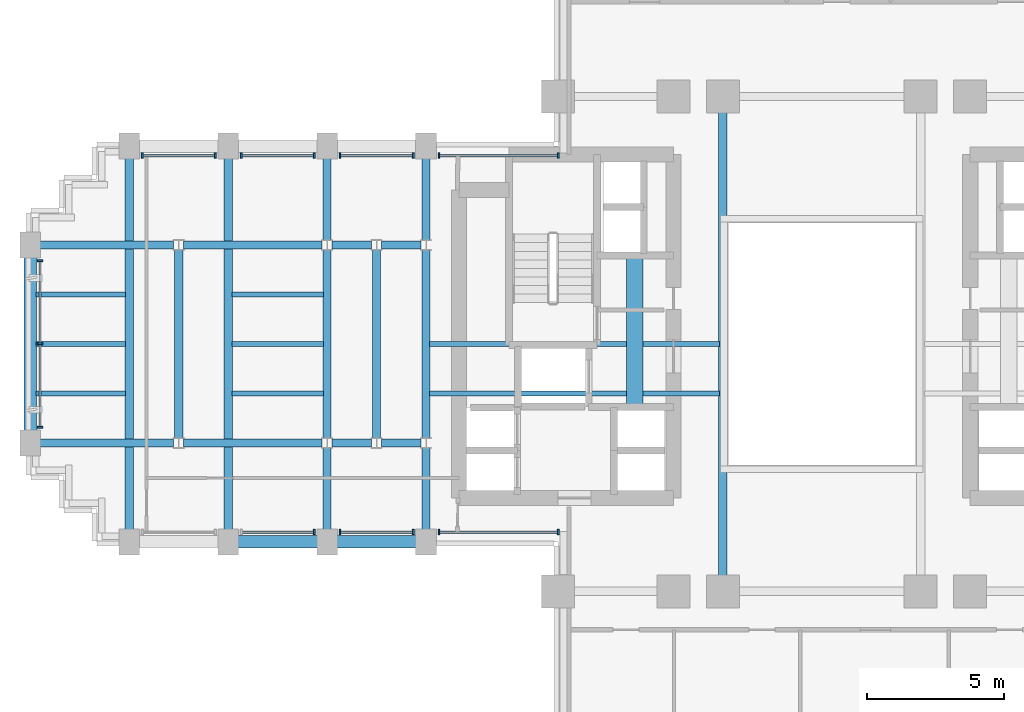
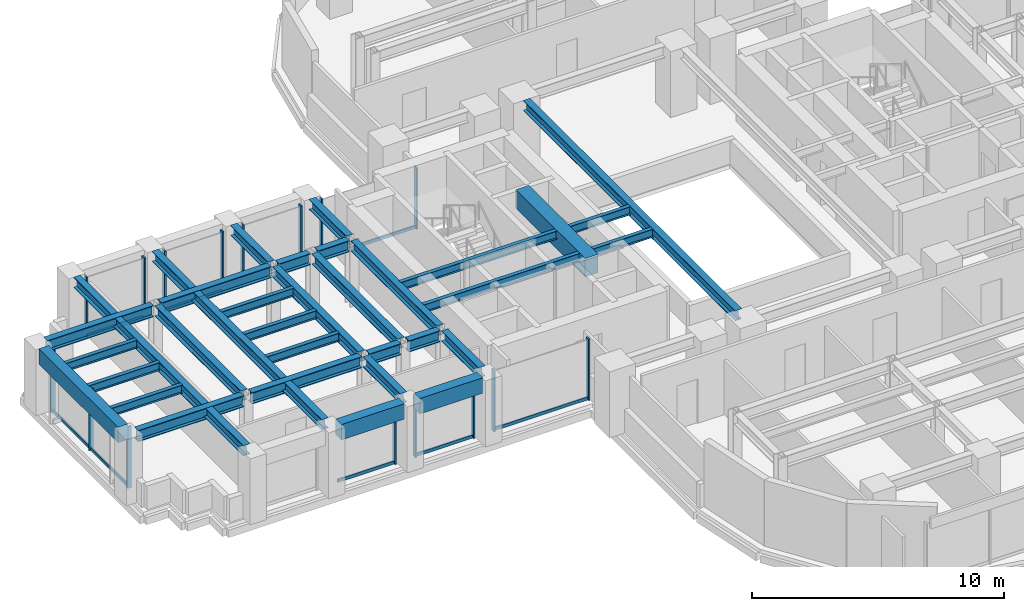
# One storey, part 4 of 16: 31 beams, 25 members, 8 elements without a shape of their own.
"""IFC4 building model written with IfcOpenShell, lengths in metres."""

from ifc_helpers import new_model, si_unit, direction, frame, origin, origin_2d, place, context, subcontext, project, spatial, rectangle, i_section, extrude, source, transform, mapped, material, material_profile, profile_set, type_object, element, aggregate, save


model = new_model("IFC4")

# Units and contexts
model_context = context("Model", 3, precision=1e-05, world=origin(), true_north=direction((0.0, 1.0)))
body_context = subcontext(model_context, "Body", "Model", "MODEL_VIEW")
ifc_project = project(units=[si_unit("LENGTHUNIT", "METRE"), si_unit("AREAUNIT", "SQUARE_METRE"), si_unit("VOLUMEUNIT", "CUBIC_METRE"), si_unit("PLANEANGLEUNIT", "RADIAN"), si_unit("MASSUNIT", "GRAM", prefix="KILO")], contexts=[model_context])

# Site, building, storey
site_placement = place(None, origin())
site = spatial("IfcSite", under=ifc_project, at=site_placement, CompositionType="ELEMENT")
building_placement = place(site_placement, origin())
building = spatial("IfcBuilding", under=site, at=building_placement, Name="Keilestroom Media Tower", CompositionType="ELEMENT")
storey_placement = place(building_placement, frame((0.0, 0.0, 78.199951171875)))
storey = spatial("IfcBuildingStorey", under=building, at=storey_placement, Name="L20", CompositionType="ELEMENT", Elevation=78.199951171875)

# Beams
ifc_material_1 = material(Name="Concrete C70/85", Category="concrete")
ifc_material_profile_1 = material_profile(ifc_material_1, rectangle(XDim=0.60009765625, YDim=0.89990234375, at=origin_2d()), Name="RC 600x900")
ifc_profile_set_1 = profile_set([ifc_material_profile_1], Name="Concrete C70/85")
beam_type_1 = type_object("IfcBeamType", Name="Core-Coupling-Lintel-Beam-RC-600x900", PredefinedType="LINTEL", material=ifc_profile_set_1)
shared_shape_1 = source(origin(), body_context, "Body", "SweptSolid", [
    extrude(rectangle(XDim=0.60009765625, YDim=0.89990234375, at=origin_2d()), origin(), (0.0, 0.0, 1.0), 5.52001953125),
])
beam_1_placement = place(storey_placement, frame((-6.800048828125, -2.300048828125, 2.75), z_axis=(0.0, 1.0, 0.0), x_axis=(-1.0, 0.0, 0.0)))
element("IfcBeam", 1, at=beam_1_placement, inside=storey, type_object=beam_type_1, Name="L20 Beam CLB-1 CLB-L20-W", PredefinedType="LINTEL", context=body_context, shape_type="MappedRepresentation", body=[
    mapped(shared_shape_1, transform((0.0, 0.0, 0.0), x_axis=(1.0, 0.0, 0.0), y_axis=(0.0, 1.0, 0.0), z_axis=(0.0, 0.0, 1.0), scale=1.0)),
])
ifc_material_2 = material(Name="Precast concrete C40/50", Category="concrete")
ifc_material_profile_2 = material_profile(ifc_material_2, rectangle(XDim=0.449951171875, YDim=0.75, at=origin_2d()), Name="PC 450x750")
ifc_profile_set_2 = profile_set([ifc_material_profile_2], Name="Precast concrete C40/50")
beam_type_2 = type_object("IfcBeamType", Name="Perimeter-Spandrel-Beam-PC-450x750", PredefinedType="SPANDREL", material=ifc_profile_set_2)
shared_shape_2 = source(origin(), body_context, "Body", "SweptSolid", [
    extrude(rectangle(XDim=0.449951171875, YDim=0.75, at=origin_2d()), origin(), (0.0, 0.0, 1.0), 6.2900390625),
])
beam_2_placement = place(storey_placement, frame((-28.800048828125, -3.14501953125, 2.824951171875), z_axis=(0.0, 1.0, 0.0), x_axis=(-1.0, 0.0, 0.0)))
element("IfcBeam", 2, at=beam_2_placement, inside=storey, type_object=beam_type_2, Name="L20 Beam SPB-1 BM-L20-NS-051", PredefinedType="SPANDREL", context=body_context, shape_type="MappedRepresentation", body=[
    mapped(shared_shape_2, transform((0.0, 0.0, 0.0), x_axis=(1.0, 0.0, 0.0), y_axis=(0.0, 1.0, 0.0), z_axis=(0.0, 0.0, 1.0), scale=1.0)),
])
shared_shape_3 = source(origin(), body_context, "Body", "SweptSolid", [
    extrude(rectangle(XDim=0.449951171875, YDim=0.75, at=origin_2d()), origin(), (0.0, 0.0, 1.0), 2.89013671875),
])
for number, where, z_axis, x_axis, name in (
    (3, (-21.2451171875, -7.199951171875, 2.824951171875), (1.0, 0.0, 0.0), (0.0, 1.0, 0.0), "L20 Beam SPB-1 BM-L20-EW-013"),
    (4, (-17.64501953125, -7.199951171875, 2.824951171875), (1.0, 0.0, 0.0), (0.0, 1.0, 0.0), "L20 Beam SPB-1 BM-L20-EW-014"),
):
    element("IfcBeam", number, at=place(storey_placement, frame(where, z_axis=z_axis, x_axis=x_axis)), inside=storey, type_object=beam_type_2, Name=name, PredefinedType="SPANDREL", context=body_context, shape_type="MappedRepresentation", body=[
        mapped(shared_shape_3, transform((0.0, 0.0, 0.0), x_axis=(1.0, 0.0, 0.0), y_axis=(0.0, 1.0, 0.0), z_axis=(0.0, 0.0, 1.0), scale=1.0)),
    ])
ifc_material_3 = material(Name="Steel S355", Category="steel")
ifc_material_profile_3 = material_profile(ifc_material_3, i_section(OverallWidth=0.300048828125, OverallDepth=0.550048828125, WebThickness=0.012939453125, FlangeThickness=0.029052734375, at=origin_2d()), Name="HEB 550")
ifc_profile_set_3 = profile_set([ifc_material_profile_3], Name="Steel S355")
beam_type_3 = type_object("IfcBeamType", Name="Primary-Structural-Girder-HEB-550", PredefinedType="BEAM", material=ifc_profile_set_3)
shared_shape_4 = source(origin(), body_context, "Body", "SweptSolid", [
    extrude(i_section(OverallWidth=0.300048828125, OverallDepth=0.550048828125, WebThickness=0.012939453125, FlangeThickness=0.029052734375, at=origin_2d()), origin(), (0.0, 0.0, 1.0), 4.863037109375),
])
for number, where, z_axis, x_axis, name in (
    (5, (-28.445068359375, -3.60009765625, 2.925048828125), (1.0, 0.0, 0.0), (0.0, 1.0, 0.0), "L20 Beam BG-5 BM-L20-EW-018"),
    (6, (-28.445068359375, 3.60009765625, 2.925048828125), (1.0, 0.0, 0.0), (0.0, 1.0, 0.0), "L20 Beam BG-5 BM-L20-EW-026"),
):
    element("IfcBeam", number, at=place(storey_placement, frame(where, z_axis=z_axis, x_axis=x_axis)), inside=storey, type_object=beam_type_3, Name=name, PredefinedType="BEAM", context=body_context, shape_type="MappedRepresentation", body=[
        mapped(shared_shape_4, transform((0.0, 0.0, 0.0), x_axis=(1.0, 0.0, 0.0), y_axis=(0.0, 1.0, 0.0), z_axis=(0.0, 0.0, 1.0), scale=1.0)),
    ])
shared_shape_5 = source(origin(), body_context, "Body", "SweptSolid", [
    extrude(i_section(OverallWidth=0.300048828125, OverallDepth=0.550048828125, WebThickness=0.012939453125, FlangeThickness=0.029052734375, at=origin_2d()), origin(), (0.0, 0.0, 1.0), 5.0361328125),
])
for number, where, z_axis, x_axis, name in (
    (7, (-23.218017578125, -3.60009765625, 2.925048828125), (1.0, 0.0, 0.0), (0.0, 1.0, 0.0), "L20 Beam BG-5 BM-L20-EW-019"),
    (8, (-23.218017578125, 3.60009765625, 2.925048828125), (1.0, 0.0, 0.0), (0.0, 1.0, 0.0), "L20 Beam BG-5 BM-L20-EW-027"),
):
    element("IfcBeam", number, at=place(storey_placement, frame(where, z_axis=z_axis, x_axis=x_axis)), inside=storey, type_object=beam_type_3, Name=name, PredefinedType="BEAM", context=body_context, shape_type="MappedRepresentation", body=[
        mapped(shared_shape_5, transform((0.0, 0.0, 0.0), x_axis=(1.0, 0.0, 0.0), y_axis=(0.0, 1.0, 0.0), z_axis=(0.0, 0.0, 1.0), scale=1.0)),
    ])
shared_shape_6 = source(origin(), body_context, "Body", "SweptSolid", [
    extrude(i_section(OverallWidth=0.300048828125, OverallDepth=0.550048828125, WebThickness=0.012939453125, FlangeThickness=0.029052734375, at=origin_2d()), origin(), (0.0, 0.0, 1.0), 1.43603515625),
])
for number, where, z_axis, x_axis, name in (
    (9, (-17.818115234375, -3.60009765625, 2.925048828125), (1.0, 0.0, 0.0), (0.0, 1.0, 0.0), "L20 Beam BG-5 BM-L20-EW-020"),
    (10, (-16.01806640625, -3.60009765625, 2.925048828125), (1.0, 0.0, 0.0), (0.0, 1.0, 0.0), "L20 Beam BG-5 BM-L20-EW-021"),
    (11, (-17.818115234375, 3.60009765625, 2.925048828125), (1.0, 0.0, 0.0), (0.0, 1.0, 0.0), "L20 Beam BG-5 BM-L20-EW-028"),
    (12, (-16.01806640625, 3.60009765625, 2.925048828125), (1.0, 0.0, 0.0), (0.0, 1.0, 0.0), "L20 Beam BG-5 BM-L20-EW-029"),
):
    element("IfcBeam", number, at=place(storey_placement, frame(where, z_axis=z_axis, x_axis=x_axis)), inside=storey, type_object=beam_type_3, Name=name, PredefinedType="BEAM", context=body_context, shape_type="MappedRepresentation", body=[
        mapped(shared_shape_6, transform((0.0, 0.0, 0.0), x_axis=(1.0, 0.0, 0.0), y_axis=(0.0, 1.0, 0.0), z_axis=(0.0, 0.0, 1.0), scale=1.0)),
    ])
ifc_material_profile_4 = material_profile(ifc_material_3, i_section(OverallWidth=0.300048828125, OverallDepth=0.5, WebThickness=0.012451171875, FlangeThickness=0.028076171875, at=origin_2d()), Name="HEB 500")
ifc_profile_set_4 = profile_set([ifc_material_profile_4], Name="Steel S355")
beam_type_4 = type_object("IfcBeamType", Name="Primary-Structural-Girder-HEB-500", PredefinedType="BEAM", material=ifc_profile_set_4)
shared_shape_7 = source(origin(), body_context, "Body", "SweptSolid", [
    extrude(i_section(OverallWidth=0.300048828125, OverallDepth=0.5, WebThickness=0.012451171875, FlangeThickness=0.028076171875, at=origin_2d()), origin(), (0.0, 0.0, 1.0), 13.490234375),
])
for number, where, z_axis, x_axis, name in (
    (13, (-25.199951171875, -6.7451171875, 2.949951171875), (0.0, 1.0, 0.0), (-1.0, 0.0, 0.0), "L20 Beam BG-6 BM-L20-NS-052"),
    (14, (-21.60009765625, -6.7451171875, 2.949951171875), (0.0, 1.0, 0.0), (-1.0, 0.0, 0.0), "L20 Beam BG-6 BM-L20-NS-054"),
):
    element("IfcBeam", number, at=place(storey_placement, frame(where, z_axis=z_axis, x_axis=x_axis)), inside=storey, type_object=beam_type_4, Name=name, PredefinedType="BEAM", context=body_context, shape_type="MappedRepresentation", body=[
        mapped(shared_shape_7, transform((0.0, 0.0, 0.0), x_axis=(1.0, 0.0, 0.0), y_axis=(0.0, 1.0, 0.0), z_axis=(0.0, 0.0, 1.0), scale=1.0)),
    ])
shared_shape_8 = source(origin(), body_context, "Body", "SweptSolid", [
    extrude(i_section(OverallWidth=0.300048828125, OverallDepth=0.5, WebThickness=0.012451171875, FlangeThickness=0.028076171875, at=origin_2d()), origin(), (0.0, 0.0, 1.0), 6.8330078125),
])
for number, where, z_axis, x_axis, name in (
    (15, (-23.39990234375, -3.41650390625, 2.949951171875), (0.0, 1.0, 0.0), (-1.0, 0.0, 0.0), "L20 Beam BG-6 BM-L20-NS-053"),
    (16, (-18.0, -3.41650390625, 2.949951171875), (0.0, 1.0, 0.0), (-1.0, 0.0, 0.0), "L20 Beam BG-6 BM-L20-NS-056"),
    (17, (-16.199951171875, -3.41650390625, 2.949951171875), (0.0, 1.0, 0.0), (-1.0, 0.0, 0.0), "L20 Beam BG-6 BM-L20-NS-058"),
    (18, (-14.39990234375, -3.41650390625, 2.949951171875), (0.0, 1.0, 0.0), (-1.0, 0.0, 0.0), "L20 Beam BG-6 BM-L20-NS-060"),
):
    element("IfcBeam", number, at=place(storey_placement, frame(where, z_axis=z_axis, x_axis=x_axis)), inside=storey, type_object=beam_type_4, Name=name, PredefinedType="BEAM", context=body_context, shape_type="MappedRepresentation", body=[
        mapped(shared_shape_8, transform((0.0, 0.0, 0.0), x_axis=(1.0, 0.0, 0.0), y_axis=(0.0, 1.0, 0.0), z_axis=(0.0, 0.0, 1.0), scale=1.0)),
    ])
shared_shape_9 = source(origin(), body_context, "Body", "SweptSolid", [
    extrude(i_section(OverallWidth=0.300048828125, OverallDepth=0.5, WebThickness=0.012451171875, FlangeThickness=0.028076171875, at=origin_2d()), origin(), (0.0, 0.0, 1.0), 2.961669921875),
])
for number, where, z_axis, x_axis, name in (
    (19, (-18.0, -6.7451171875, 2.949951171875), (0.0, 1.0, 0.0), (-1.0, 0.0, 0.0), "L20 Beam BG-6 BM-L20-NS-055"),
    (20, (-18.0, 3.783447265625, 2.949951171875), (0.0, 1.0, 0.0), (-1.0, 0.0, 0.0), "L20 Beam BG-6 BM-L20-NS-057"),
    (21, (-14.39990234375, -6.7451171875, 2.949951171875), (0.0, 1.0, 0.0), (-1.0, 0.0, 0.0), "L20 Beam BG-6 BM-L20-NS-059"),
    (22, (-14.39990234375, 3.783447265625, 2.949951171875), (0.0, 1.0, 0.0), (-1.0, 0.0, 0.0), "L20 Beam BG-6 BM-L20-NS-061"),
):
    element("IfcBeam", number, at=place(storey_placement, frame(where, z_axis=z_axis, x_axis=x_axis)), inside=storey, type_object=beam_type_4, Name=name, PredefinedType="BEAM", context=body_context, shape_type="MappedRepresentation", body=[
        mapped(shared_shape_9, transform((0.0, 0.0, 0.0), x_axis=(1.0, 0.0, 0.0), y_axis=(0.0, 1.0, 0.0), z_axis=(0.0, 0.0, 1.0), scale=1.0)),
    ])
shared_shape_10 = source(origin(), body_context, "Body", "SweptSolid", [
    extrude(i_section(OverallWidth=0.300048828125, OverallDepth=0.5, WebThickness=0.012451171875, FlangeThickness=0.028076171875, at=origin_2d()), origin(), (0.0, 0.0, 1.0), 16.83984375),
])
beam_3_placement = place(storey_placement, frame((-3.60009765625, -8.419921875, 2.949951171875), z_axis=(0.0, 1.0, 0.0), x_axis=(-1.0, 0.0, 0.0)))
element("IfcBeam", 23, at=beam_3_placement, inside=storey, type_object=beam_type_4, Name="L20 Beam BG-6 BM-L20-NS-066", PredefinedType="BEAM", context=body_context, shape_type="MappedRepresentation", body=[
    mapped(shared_shape_10, transform((0.0, 0.0, 0.0), x_axis=(1.0, 0.0, 0.0), y_axis=(0.0, 1.0, 0.0), z_axis=(0.0, 0.0, 1.0), scale=1.0)),
])
ifc_material_profile_5 = material_profile(ifc_material_3, i_section(OverallWidth=0.179931640625, OverallDepth=0.39990234375, WebThickness=0.008544921875, FlangeThickness=0.013427734375, at=origin_2d()), Name="IPE 400")
ifc_profile_set_5 = profile_set([ifc_material_profile_5], Name="Steel S355")
beam_type_5 = type_object("IfcBeamType", Name="Secondary-Floor-Joist-IPE-400", PredefinedType="JOIST", material=ifc_profile_set_5)
shared_shape_11 = source(origin(), body_context, "Body", "SweptSolid", [
    extrude(i_section(OverallWidth=0.179931640625, OverallDepth=0.39990234375, WebThickness=0.008544921875, FlangeThickness=0.013427734375, at=origin_2d()), origin(), (0.0, 0.0, 1.0), 3.264892578125),
])
for number, where, z_axis, x_axis, name in (
    (24, (-28.594970703125, -1.800048828125, 3.0), (1.0, 0.0, 0.0), (0.0, 1.0, 0.0), "L20 Beam BJ-4 JST-L20-089"),
    (25, (-28.594970703125, 0.0, 3.0), (1.0, 0.0, 0.0), (0.0, 1.0, 0.0), "L20 Beam BJ-4 JST-L20-096"),
    (26, (-28.594970703125, 1.800048828125, 3.0), (1.0, 0.0, 0.0), (0.0, 1.0, 0.0), "L20 Beam BJ-4 JST-L20-103"),
):
    element("IfcBeam", number, at=place(storey_placement, frame(where, z_axis=z_axis, x_axis=x_axis)), inside=storey, type_object=beam_type_5, Name=name, PredefinedType="JOIST", context=body_context, shape_type="MappedRepresentation", body=[
        mapped(shared_shape_11, transform((0.0, 0.0, 0.0), x_axis=(1.0, 0.0, 0.0), y_axis=(0.0, 1.0, 0.0), z_axis=(0.0, 0.0, 1.0), scale=1.0)),
    ])
shared_shape_12 = source(origin(), body_context, "Body", "SweptSolid", [
    extrude(i_section(OverallWidth=0.179931640625, OverallDepth=0.39990234375, WebThickness=0.008544921875, FlangeThickness=0.013427734375, at=origin_2d()), origin(), (0.0, 0.0, 1.0), 3.340087890625),
])
for number, where, z_axis, x_axis, name in (
    (27, (-21.469970703125, -1.800048828125, 3.0), (1.0, 0.0, 0.0), (0.0, 1.0, 0.0), "L20 Beam BJ-4 JST-L20-090"),
    (28, (-21.469970703125, 0.0, 3.0), (1.0, 0.0, 0.0), (0.0, 1.0, 0.0), "L20 Beam BJ-4 JST-L20-097"),
    (29, (-21.469970703125, 1.800048828125, 3.0), (1.0, 0.0, 0.0), (0.0, 1.0, 0.0), "L20 Beam BJ-4 JST-L20-104"),
):
    element("IfcBeam", number, at=place(storey_placement, frame(where, z_axis=z_axis, x_axis=x_axis)), inside=storey, type_object=beam_type_5, Name=name, PredefinedType="JOIST", context=body_context, shape_type="MappedRepresentation", body=[
        mapped(shared_shape_12, transform((0.0, 0.0, 0.0), x_axis=(1.0, 0.0, 0.0), y_axis=(0.0, 1.0, 0.0), z_axis=(0.0, 0.0, 1.0), scale=1.0)),
    ])
shared_shape_13 = source(origin(), body_context, "Body", "SweptSolid", [
    extrude(i_section(OverallWidth=0.179931640625, OverallDepth=0.39990234375, WebThickness=0.008544921875, FlangeThickness=0.013427734375, at=origin_2d()), origin(), (0.0, 0.0, 1.0), 10.5400390625),
])
for number, where, z_axis, x_axis, name in (
    (30, (-14.27001953125, -1.800048828125, 3.0), (1.0, 0.0, 0.0), (0.0, 1.0, 0.0), "L20 Beam BJ-4 JST-L20-091"),
    (31, (-14.27001953125, 0.0, 3.0), (1.0, 0.0, 0.0), (0.0, 1.0, 0.0), "L20 Beam BJ-4 JST-L20-098"),
):
    element("IfcBeam", number, at=place(storey_placement, frame(where, z_axis=z_axis, x_axis=x_axis)), inside=storey, type_object=beam_type_5, Name=name, PredefinedType="JOIST", context=body_context, shape_type="MappedRepresentation", body=[
        mapped(shared_shape_13, transform((0.0, 0.0, 0.0), x_axis=(1.0, 0.0, 0.0), y_axis=(0.0, 1.0, 0.0), z_axis=(0.0, 0.0, 1.0), scale=1.0)),
    ])

# Curtain wall, members
ifc_material_4 = material(Name="Anodised Aluminium Alloy", Category="aluminium")
curtain_wall_type = type_object("IfcCurtainWallType", Name="Unitised-Curtain-Wall-CW-1", PredefinedType="NOTDEFINED", material=ifc_material_4)
curtain_wall_1_placement = place(storey_placement, origin())
curtain_wall_1 = element("IfcCurtainWall", 32, at=curtain_wall_1_placement, inside=storey, type_object=curtain_wall_type, Name="L20 Curtain Wall CW-1 CW-L20-W-1", PredefinedType="NOTDEFINED")
ifc_material_profile_6 = material_profile(ifc_material_4, rectangle(XDim=0.070068359375, YDim=0.199951171875, at=origin_2d()), Name="ALU MULLION 70x200")
ifc_profile_set_6 = profile_set([ifc_material_profile_6], Name="Anodised Aluminium Alloy")
member_type_1 = type_object("IfcMemberType", Name="Curtain-Wall-Mullion-CW-1", PredefinedType="MULLION", material=ifc_profile_set_6)
shared_shape_14 = source(origin(), body_context, "Body", "SweptSolid", [
    extrude(rectangle(XDim=0.070068359375, YDim=0.199951171875, at=origin_2d()), origin(), (0.0, 0.0, 1.0), 2.97998046875),
])
member_1_placement = place(storey_placement, frame((-28.449951171875, -3.030029296875, 0.0), z_axis=(0.0, 0.0, 1.0), x_axis=(0.0, 1.0, 0.0)))
member_1 = element("IfcMember", 33, at=member_1_placement, type_object=member_type_1, Name="CW-1 Mullion 00", PredefinedType="MULLION", context=body_context, shape_type="MappedRepresentation", body=[
    mapped(shared_shape_14, transform((0.0, 0.0, 0.0), x_axis=(1.0, 0.0, 0.0), y_axis=(0.0, 1.0, 0.0), z_axis=(0.0, 0.0, 1.0), scale=1.0)),
])
member_2_placement = place(storey_placement, frame((-28.449951171875, 0.0, 0.0), z_axis=(0.0, 0.0, 1.0), x_axis=(0.0, 1.0, 0.0)))
member_2 = element("IfcMember", 34, at=member_2_placement, type_object=member_type_1, Name="CW-1 Mullion 01", PredefinedType="MULLION", context=body_context, shape_type="MappedRepresentation", body=[
    mapped(shared_shape_14, transform((0.0, 0.0, 0.0), x_axis=(1.0, 0.0, 0.0), y_axis=(0.0, 1.0, 0.0), z_axis=(0.0, 0.0, 1.0), scale=1.0)),
])
member_3_placement = place(storey_placement, frame((-28.449951171875, 3.030029296875, 0.0), z_axis=(0.0, 0.0, 1.0), x_axis=(0.0, 1.0, 0.0)))
member_3 = element("IfcMember", 35, at=member_3_placement, type_object=member_type_1, Name="CW-1 Mullion 02", PredefinedType="MULLION", context=body_context, shape_type="MappedRepresentation", body=[
    mapped(shared_shape_14, transform((0.0, 0.0, 0.0), x_axis=(1.0, 0.0, 0.0), y_axis=(0.0, 1.0, 0.0), z_axis=(0.0, 0.0, 1.0), scale=1.0)),
])

curtain_wall_2_placement = place(storey_placement, origin())
curtain_wall_2 = element("IfcCurtainWall", 36, at=curtain_wall_2_placement, inside=storey, type_object=curtain_wall_type, Name="L20 Curtain Wall CW-1 CW-L20-NW-1", PredefinedType="NOTDEFINED")
member_4_placement = place(storey_placement, frame((-24.72998046875, 6.85009765625, 0.0), z_axis=(0.0, 0.0, 1.0), x_axis=(1.0, 0.0, 0.0)))
member_4 = element("IfcMember", 37, at=member_4_placement, type_object=member_type_1, Name="CW-1 Mullion 00", PredefinedType="MULLION", context=body_context, shape_type="MappedRepresentation", body=[
    mapped(shared_shape_14, transform((0.0, 0.0, 0.0), x_axis=(1.0, 0.0, 0.0), y_axis=(0.0, 1.0, 0.0), z_axis=(0.0, 0.0, 1.0), scale=1.0)),
])
member_5_placement = place(storey_placement, frame((-22.070068359375, 6.85009765625, 0.0), z_axis=(0.0, 0.0, 1.0), x_axis=(1.0, 0.0, 0.0)))
member_5 = element("IfcMember", 38, at=member_5_placement, type_object=member_type_1, Name="CW-1 Mullion 01", PredefinedType="MULLION", context=body_context, shape_type="MappedRepresentation", body=[
    mapped(shared_shape_14, transform((0.0, 0.0, 0.0), x_axis=(1.0, 0.0, 0.0), y_axis=(0.0, 1.0, 0.0), z_axis=(0.0, 0.0, 1.0), scale=1.0)),
])

curtain_wall_3_placement = place(storey_placement, origin())
curtain_wall_3 = element("IfcCurtainWall", 39, at=curtain_wall_3_placement, inside=storey, type_object=curtain_wall_type, Name="L20 Curtain Wall CW-1 CW-L20-NW-2", PredefinedType="NOTDEFINED")
member_6_placement = place(storey_placement, frame((-21.1298828125, 6.85009765625, 0.0), z_axis=(0.0, 0.0, 1.0), x_axis=(1.0, 0.0, 0.0)))
member_6 = element("IfcMember", 40, at=member_6_placement, type_object=member_type_1, Name="CW-1 Mullion 00", PredefinedType="MULLION", context=body_context, shape_type="MappedRepresentation", body=[
    mapped(shared_shape_14, transform((0.0, 0.0, 0.0), x_axis=(1.0, 0.0, 0.0), y_axis=(0.0, 1.0, 0.0), z_axis=(0.0, 0.0, 1.0), scale=1.0)),
])
member_7_placement = place(storey_placement, frame((-18.469970703125, 6.85009765625, 0.0), z_axis=(0.0, 0.0, 1.0), x_axis=(1.0, 0.0, 0.0)))
member_7 = element("IfcMember", 41, at=member_7_placement, type_object=member_type_1, Name="CW-1 Mullion 01", PredefinedType="MULLION", context=body_context, shape_type="MappedRepresentation", body=[
    mapped(shared_shape_14, transform((0.0, 0.0, 0.0), x_axis=(1.0, 0.0, 0.0), y_axis=(0.0, 1.0, 0.0), z_axis=(0.0, 0.0, 1.0), scale=1.0)),
])

curtain_wall_4_placement = place(storey_placement, origin())
curtain_wall_4 = element("IfcCurtainWall", 42, at=curtain_wall_4_placement, inside=storey, type_object=curtain_wall_type, Name="L20 Curtain Wall CW-1 CW-L20-NW-3", PredefinedType="NOTDEFINED")
member_8_placement = place(storey_placement, frame((-17.530029296875, 6.85009765625, 0.0), z_axis=(0.0, 0.0, 1.0), x_axis=(1.0, 0.0, 0.0)))
member_8 = element("IfcMember", 43, at=member_8_placement, type_object=member_type_1, Name="CW-1 Mullion 00", PredefinedType="MULLION", context=body_context, shape_type="MappedRepresentation", body=[
    mapped(shared_shape_14, transform((0.0, 0.0, 0.0), x_axis=(1.0, 0.0, 0.0), y_axis=(0.0, 1.0, 0.0), z_axis=(0.0, 0.0, 1.0), scale=1.0)),
])
member_9_placement = place(storey_placement, frame((-14.8701171875, 6.85009765625, 0.0), z_axis=(0.0, 0.0, 1.0), x_axis=(1.0, 0.0, 0.0)))
member_9 = element("IfcMember", 44, at=member_9_placement, type_object=member_type_1, Name="CW-1 Mullion 01", PredefinedType="MULLION", context=body_context, shape_type="MappedRepresentation", body=[
    mapped(shared_shape_14, transform((0.0, 0.0, 0.0), x_axis=(1.0, 0.0, 0.0), y_axis=(0.0, 1.0, 0.0), z_axis=(0.0, 0.0, 1.0), scale=1.0)),
])

curtain_wall_5_placement = place(storey_placement, origin())
curtain_wall_5 = element("IfcCurtainWall", 45, at=curtain_wall_5_placement, inside=storey, type_object=curtain_wall_type, Name="L20 Curtain Wall CW-1 CW-L20-NW-4", PredefinedType="NOTDEFINED")
member_10_placement = place(storey_placement, frame((-13.929931640625, 6.85009765625, 0.0), z_axis=(0.0, 0.0, 1.0), x_axis=(1.0, 0.0, 0.0)))
member_10 = element("IfcMember", 46, at=member_10_placement, type_object=member_type_1, Name="CW-1 Mullion 00", PredefinedType="MULLION", context=body_context, shape_type="MappedRepresentation", body=[
    mapped(shared_shape_14, transform((0.0, 0.0, 0.0), x_axis=(1.0, 0.0, 0.0), y_axis=(0.0, 1.0, 0.0), z_axis=(0.0, 0.0, 1.0), scale=1.0)),
])
member_11_placement = place(storey_placement, frame((-9.5849609375, 6.85009765625, 0.0), z_axis=(0.0, 0.0, 1.0), x_axis=(1.0, 0.0, 0.0)))
member_11 = element("IfcMember", 47, at=member_11_placement, type_object=member_type_1, Name="CW-1 Mullion 01", PredefinedType="MULLION", context=body_context, shape_type="MappedRepresentation", body=[
    mapped(shared_shape_14, transform((0.0, 0.0, 0.0), x_axis=(1.0, 0.0, 0.0), y_axis=(0.0, 1.0, 0.0), z_axis=(0.0, 0.0, 1.0), scale=1.0)),
])

# Curtain wall, member
curtain_wall_6_placement = place(storey_placement, origin())
curtain_wall_6 = element("IfcCurtainWall", 48, at=curtain_wall_6_placement, inside=storey, type_object=curtain_wall_type, Name="L20 Curtain Wall CW-1 CW-L20-SW-2", PredefinedType="NOTDEFINED")
member_12_placement = place(storey_placement, frame((-18.469970703125, -6.85009765625, 0.0), z_axis=(0.0, 0.0, 1.0), x_axis=(1.0, 0.0, 0.0)))
member_12 = element("IfcMember", 49, at=member_12_placement, type_object=member_type_1, Name="CW-1 Mullion 01", PredefinedType="MULLION", context=body_context, shape_type="MappedRepresentation", body=[
    mapped(shared_shape_14, transform((0.0, 0.0, 0.0), x_axis=(1.0, 0.0, 0.0), y_axis=(0.0, 1.0, 0.0), z_axis=(0.0, 0.0, 1.0), scale=1.0)),
])

# Curtain wall, members
curtain_wall_7_placement = place(storey_placement, origin())
curtain_wall_7 = element("IfcCurtainWall", 50, at=curtain_wall_7_placement, inside=storey, type_object=curtain_wall_type, Name="L20 Curtain Wall CW-1 CW-L20-SW-3", PredefinedType="NOTDEFINED")
member_13_placement = place(storey_placement, frame((-17.530029296875, -6.85009765625, 0.0), z_axis=(0.0, 0.0, 1.0), x_axis=(1.0, 0.0, 0.0)))
member_13 = element("IfcMember", 51, at=member_13_placement, type_object=member_type_1, Name="CW-1 Mullion 00", PredefinedType="MULLION", context=body_context, shape_type="MappedRepresentation", body=[
    mapped(shared_shape_14, transform((0.0, 0.0, 0.0), x_axis=(1.0, 0.0, 0.0), y_axis=(0.0, 1.0, 0.0), z_axis=(0.0, 0.0, 1.0), scale=1.0)),
])
member_14_placement = place(storey_placement, frame((-14.8701171875, -6.85009765625, 0.0), z_axis=(0.0, 0.0, 1.0), x_axis=(1.0, 0.0, 0.0)))
member_14 = element("IfcMember", 52, at=member_14_placement, type_object=member_type_1, Name="CW-1 Mullion 01", PredefinedType="MULLION", context=body_context, shape_type="MappedRepresentation", body=[
    mapped(shared_shape_14, transform((0.0, 0.0, 0.0), x_axis=(1.0, 0.0, 0.0), y_axis=(0.0, 1.0, 0.0), z_axis=(0.0, 0.0, 1.0), scale=1.0)),
])

curtain_wall_8_placement = place(storey_placement, origin())
curtain_wall_8 = element("IfcCurtainWall", 53, at=curtain_wall_8_placement, inside=storey, type_object=curtain_wall_type, Name="L20 Curtain Wall CW-1 CW-L20-SW-4", PredefinedType="NOTDEFINED")
member_15_placement = place(storey_placement, frame((-13.929931640625, -6.85009765625, 0.0), z_axis=(0.0, 0.0, 1.0), x_axis=(1.0, 0.0, 0.0)))
member_15 = element("IfcMember", 54, at=member_15_placement, type_object=member_type_1, Name="CW-1 Mullion 00", PredefinedType="MULLION", context=body_context, shape_type="MappedRepresentation", body=[
    mapped(shared_shape_14, transform((0.0, 0.0, 0.0), x_axis=(1.0, 0.0, 0.0), y_axis=(0.0, 1.0, 0.0), z_axis=(0.0, 0.0, 1.0), scale=1.0)),
])
member_16_placement = place(storey_placement, frame((-9.5849609375, -6.85009765625, 0.0), z_axis=(0.0, 0.0, 1.0), x_axis=(1.0, 0.0, 0.0)))
member_16 = element("IfcMember", 55, at=member_16_placement, type_object=member_type_1, Name="CW-1 Mullion 01", PredefinedType="MULLION", context=body_context, shape_type="MappedRepresentation", body=[
    mapped(shared_shape_14, transform((0.0, 0.0, 0.0), x_axis=(1.0, 0.0, 0.0), y_axis=(0.0, 1.0, 0.0), z_axis=(0.0, 0.0, 1.0), scale=1.0)),
])

# Member
ifc_material_profile_7 = material_profile(ifc_material_4, rectangle(XDim=0.06494140625, YDim=0.14990234375, at=origin_2d()), Name="ALU TRANSOM 65x150")
ifc_profile_set_7 = profile_set([ifc_material_profile_7], Name="Anodised Aluminium Alloy")
member_type_2 = type_object("IfcMemberType", Name="Curtain-Wall-Transom-CW-1", PredefinedType="USERDEFINED", material=ifc_profile_set_7)
shared_shape_15 = source(origin(), body_context, "Body", "SweptSolid", [
    extrude(rectangle(XDim=0.06494140625, YDim=0.14990234375, at=origin_2d()), origin(), (0.0, 0.0, 1.0), 2.964111328125),
])
member_17_placement = place(storey_placement, frame((-28.449951171875, -2.9970703125, 0.074951171875), z_axis=(0.0, 1.0, 0.0), x_axis=(-1.0, 0.0, 0.0)))
member_17 = element("IfcMember", 56, at=member_17_placement, type_object=member_type_2, Name="CW-1 Transom 00.1", ObjectType="TRANSOM", PredefinedType="USERDEFINED", context=body_context, shape_type="MappedRepresentation", body=[
    mapped(shared_shape_15, transform((0.0, 0.0, 0.0), x_axis=(1.0, 0.0, 0.0), y_axis=(0.0, 1.0, 0.0), z_axis=(0.0, 0.0, 1.0), scale=1.0)),
])

member_18_placement = place(storey_placement, frame((-28.449951171875, 0.032958984375, 0.074951171875), z_axis=(0.0, 1.0, 0.0), x_axis=(-1.0, 0.0, 0.0)))
member_18 = element("IfcMember", 57, at=member_18_placement, type_object=member_type_2, Name="CW-1 Transom 01.1", ObjectType="TRANSOM", PredefinedType="USERDEFINED", context=body_context, shape_type="MappedRepresentation", body=[
    mapped(shared_shape_15, transform((0.0, 0.0, 0.0), x_axis=(1.0, 0.0, 0.0), y_axis=(0.0, 1.0, 0.0), z_axis=(0.0, 0.0, 1.0), scale=1.0)),
])

aggregate(curtain_wall_1, [member_1, member_2, member_3, member_17, member_18])

shared_shape_16 = source(origin(), body_context, "Body", "SweptSolid", [
    extrude(rectangle(XDim=0.06494140625, YDim=0.14990234375, at=origin_2d()), origin(), (0.0, 0.0, 1.0), 2.593994140625),
])
member_19_placement = place(storey_placement, frame((-24.697021484375, 6.85009765625, 0.074951171875), z_axis=(1.0, 0.0, 0.0), x_axis=(0.0, 1.0, 0.0)))
member_19 = element("IfcMember", 58, at=member_19_placement, type_object=member_type_2, Name="CW-1 Transom 00.1", ObjectType="TRANSOM", PredefinedType="USERDEFINED", context=body_context, shape_type="MappedRepresentation", body=[
    mapped(shared_shape_16, transform((0.0, 0.0, 0.0), x_axis=(1.0, 0.0, 0.0), y_axis=(0.0, 1.0, 0.0), z_axis=(0.0, 0.0, 1.0), scale=1.0)),
])

aggregate(curtain_wall_2, [member_4, member_5, member_19])

member_20_placement = place(storey_placement, frame((-21.096923828125, 6.85009765625, 0.074951171875), z_axis=(1.0, 0.0, 0.0), x_axis=(0.0, 1.0, 0.0)))
member_20 = element("IfcMember", 59, at=member_20_placement, type_object=member_type_2, Name="CW-1 Transom 00.1", ObjectType="TRANSOM", PredefinedType="USERDEFINED", context=body_context, shape_type="MappedRepresentation", body=[
    mapped(shared_shape_16, transform((0.0, 0.0, 0.0), x_axis=(1.0, 0.0, 0.0), y_axis=(0.0, 1.0, 0.0), z_axis=(0.0, 0.0, 1.0), scale=1.0)),
])

aggregate(curtain_wall_3, [member_6, member_7, member_20])

member_21_placement = place(storey_placement, frame((-17.4970703125, 6.85009765625, 0.074951171875), z_axis=(1.0, 0.0, 0.0), x_axis=(0.0, 1.0, 0.0)))
member_21 = element("IfcMember", 60, at=member_21_placement, type_object=member_type_2, Name="CW-1 Transom 00.1", ObjectType="TRANSOM", PredefinedType="USERDEFINED", context=body_context, shape_type="MappedRepresentation", body=[
    mapped(shared_shape_16, transform((0.0, 0.0, 0.0), x_axis=(1.0, 0.0, 0.0), y_axis=(0.0, 1.0, 0.0), z_axis=(0.0, 0.0, 1.0), scale=1.0)),
])

aggregate(curtain_wall_4, [member_8, member_9, member_21])

member_22_placement = place(storey_placement, frame((-21.096923828125, -6.85009765625, 0.074951171875), z_axis=(1.0, 0.0, 0.0), x_axis=(0.0, 1.0, 0.0)))
member_22 = element("IfcMember", 61, at=member_22_placement, type_object=member_type_2, Name="CW-1 Transom 00.1", ObjectType="TRANSOM", PredefinedType="USERDEFINED", context=body_context, shape_type="MappedRepresentation", body=[
    mapped(shared_shape_16, transform((0.0, 0.0, 0.0), x_axis=(1.0, 0.0, 0.0), y_axis=(0.0, 1.0, 0.0), z_axis=(0.0, 0.0, 1.0), scale=1.0)),
])

aggregate(curtain_wall_6, [member_12, member_22])

member_23_placement = place(storey_placement, frame((-17.4970703125, -6.85009765625, 0.074951171875), z_axis=(1.0, 0.0, 0.0), x_axis=(0.0, 1.0, 0.0)))
member_23 = element("IfcMember", 62, at=member_23_placement, type_object=member_type_2, Name="CW-1 Transom 00.1", ObjectType="TRANSOM", PredefinedType="USERDEFINED", context=body_context, shape_type="MappedRepresentation", body=[
    mapped(shared_shape_16, transform((0.0, 0.0, 0.0), x_axis=(1.0, 0.0, 0.0), y_axis=(0.0, 1.0, 0.0), z_axis=(0.0, 0.0, 1.0), scale=1.0)),
])

aggregate(curtain_wall_7, [member_13, member_14, member_23])

shared_shape_17 = source(origin(), body_context, "Body", "SweptSolid", [
    extrude(rectangle(XDim=0.06494140625, YDim=0.14990234375, at=origin_2d()), origin(), (0.0, 0.0, 1.0), 4.279052734375),
])
member_24_placement = place(storey_placement, frame((-13.89697265625, 6.85009765625, 0.074951171875), z_axis=(1.0, 0.0, 0.0), x_axis=(0.0, 1.0, 0.0)))
member_24 = element("IfcMember", 63, at=member_24_placement, type_object=member_type_2, Name="CW-1 Transom 00.1", ObjectType="TRANSOM", PredefinedType="USERDEFINED", context=body_context, shape_type="MappedRepresentation", body=[
    mapped(shared_shape_17, transform((0.0, 0.0, 0.0), x_axis=(1.0, 0.0, 0.0), y_axis=(0.0, 1.0, 0.0), z_axis=(0.0, 0.0, 1.0), scale=1.0)),
])

aggregate(curtain_wall_5, [member_10, member_11, member_24])

member_25_placement = place(storey_placement, frame((-13.89697265625, -6.85009765625, 0.074951171875), z_axis=(1.0, 0.0, 0.0), x_axis=(0.0, 1.0, 0.0)))
member_25 = element("IfcMember", 64, at=member_25_placement, type_object=member_type_2, Name="CW-1 Transom 00.1", ObjectType="TRANSOM", PredefinedType="USERDEFINED", context=body_context, shape_type="MappedRepresentation", body=[
    mapped(shared_shape_17, transform((0.0, 0.0, 0.0), x_axis=(1.0, 0.0, 0.0), y_axis=(0.0, 1.0, 0.0), z_axis=(0.0, 0.0, 1.0), scale=1.0)),
])

aggregate(curtain_wall_8, [member_15, member_16, member_25])

save(model, "model.ifc")
